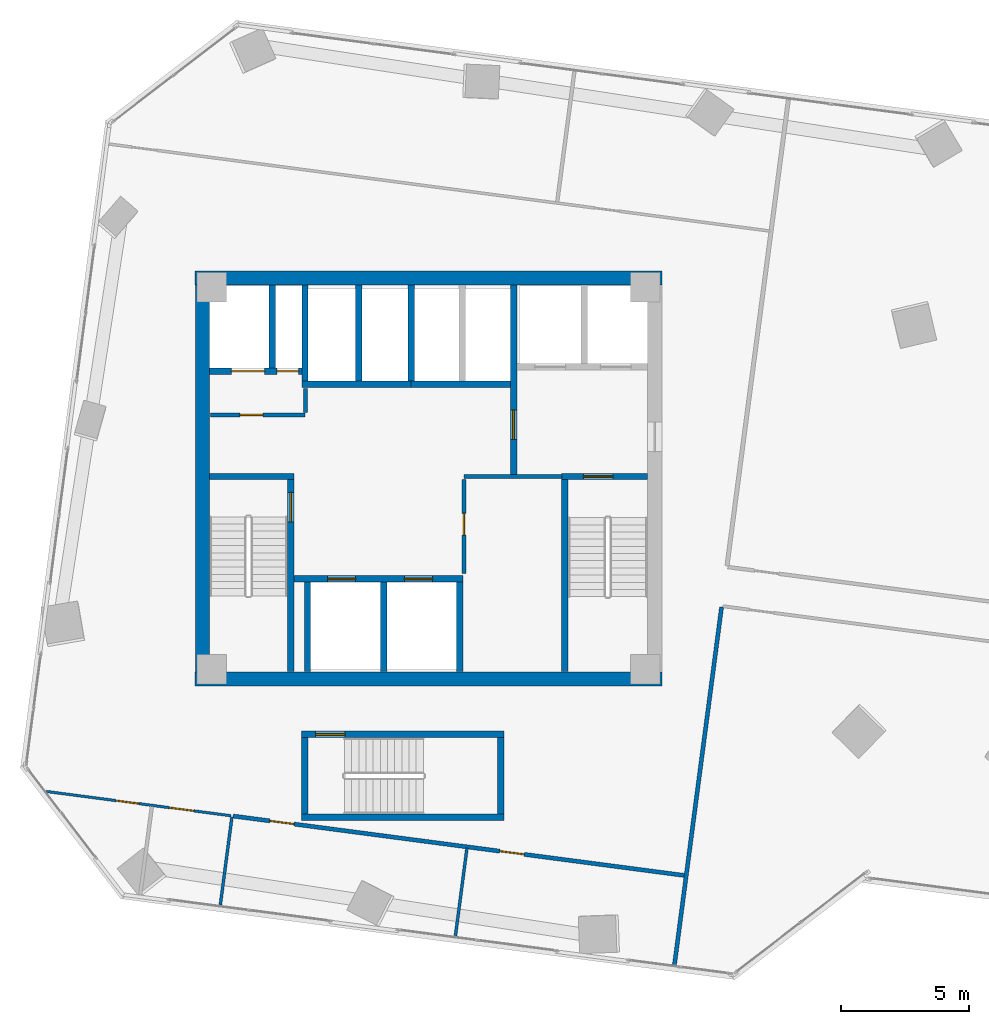
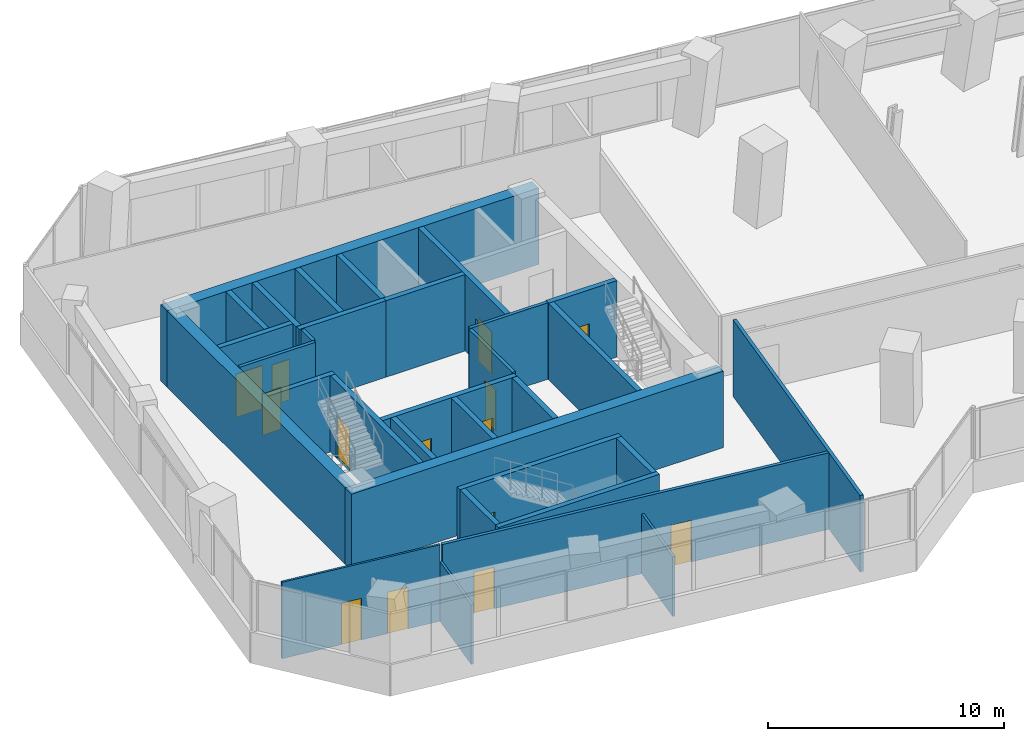
# One storey, part 19 of 24: 32 walls, 14 doors, 14 openings.
"""IFC4 building model written with IfcOpenShell, lengths in metres."""

from ifc_helpers import new_model, si_unit, direction, frame, frame_2d, origin, place, context, subcontext, project, spatial, rectangle, extrude, source, transform, mapped, material, layer, layer_set, type_object, element, fill, save


model = new_model("IFC4")

# Units and contexts
model_context = context("Model", 3, precision=1e-05, world=origin(), true_north=direction((0.0, 1.0)))
body_context = subcontext(model_context, "Body", "Model", "MODEL_VIEW")
ifc_project = project(units=[si_unit("LENGTHUNIT", "METRE"), si_unit("AREAUNIT", "SQUARE_METRE"), si_unit("VOLUMEUNIT", "CUBIC_METRE"), si_unit("PLANEANGLEUNIT", "RADIAN"), si_unit("MASSUNIT", "GRAM", prefix="KILO")], contexts=[model_context])

# Site, building, storey
site_placement = place(None, origin())
site = spatial("IfcSite", under=ifc_project, at=site_placement, CompositionType="ELEMENT")
building_placement = place(site_placement, origin())
building = spatial("IfcBuilding", under=site, at=building_placement, Name="Torre Montelarca", CompositionType="ELEMENT")
storey_placement = place(building_placement, frame((0.0, 0.0, 66.39990234375)))
storey = spatial("IfcBuildingStorey", under=building, at=storey_placement, Name="L14", CompositionType="ELEMENT", Elevation=66.39990234375)

# Wall, opening, door
ifc_material_1 = material(Name="Concrete C40/50", Category="concrete")
ifc_layer_1 = layer(ifc_material_1, 0.25, Name="Concrete C40/50", Category="concrete")
ifc_layer_set_1 = layer_set([ifc_layer_1], Name="Concrete C40/50")
wall_type_1 = type_object("IfcWallType", Name="CW-SHAFT-250", PredefinedType="SHEAR", material=ifc_layer_set_1)
wall_1_placement = place(storey_placement, frame((12.625, 24.4599609375, 0.0), z_axis=(0.0, 0.0, 1.0), x_axis=(0.0, 1.0, 0.0)))
wall_1 = element("IfcWall", 1, at=wall_1_placement, inside=storey, type_object=wall_type_1, Name="L14 Core Shear Wall SH-ST1-E", PredefinedType="SHEAR", context=body_context, shape_type="SweptSolid", body=[
    extrude(rectangle(XDim=7.489990234375, YDim=0.25, at=frame_2d((3.7451171875, 0.0))), origin(), (0.0, 0.0, 1.0), 3.960205078125),
])
opening_1_placement = place(wall_1_placement, frame((5.85009765625, 0.0, 0.0)))
opening_1 = element("IfcOpeningElement", 2, at=opening_1_placement, cuts=wall_1, Name="Opening FD-ST1", PredefinedType="OPENING", context=body_context, shape_type="SweptSolid", body=[
    extrude(rectangle(XDim=1.14990234375, YDim=2.199951171875, at=frame_2d((0.574951171875, 1.10009765625))), frame((0.0, 0.135009765625, 0.0), z_axis=(0.0, -1.0, 0.0), x_axis=(1.0, 0.0, 0.0)), (0.0, 0.0, 1.0), 0.27001953125),
])
ifc_material_2 = material(Name="Galvanized steel fire door", Category="steel")
door_type_1 = type_object("IfcDoorType", Name="DR-STAIR-115", OperationType="NOTDEFINED", PredefinedType="DOOR", material=ifc_material_2)
shared_shape_1 = source(origin(), body_context, "Body", "SweptSolid", [
    extrude(rectangle(XDim=1.14990234375, YDim=2.199951171875, at=frame_2d((0.574951171875, 1.10009765625))), frame((0.0, 0.02490234375, 0.0), z_axis=(0.0, -1.0, 0.0), x_axis=(1.0, 0.0, 0.0)), (0.0, 0.0, 1.0), 0.050048828125),
])
door_1_placement = place(opening_1_placement, origin())
door_1 = element("IfcDoor", 3, at=door_1_placement, inside=storey, type_object=door_type_1, Name="L14 Exit Stair ST1 Fire Door", OperationType="SINGLE_SWING_RIGHT", OverallHeight=2.199951171875, OverallWidth=1.14990234375, PredefinedType="DOOR", context=body_context, shape_type="MappedRepresentation", body=[
    mapped(shared_shape_1, transform((0.0, 0.0, 0.0), scale=1.0)),
])
fill(opening_1, door_1)

# Walls
wall_2_placement = place(storey_placement, frame((9.4599609375, 32.074951171875, 0.0), z_axis=(0.0, 0.0, 1.0), x_axis=(1.0, 0.0, 0.0)))
element("IfcWall", 4, at=wall_2_placement, inside=storey, type_object=wall_type_1, Name="L14 Core Shear Wall SH-ST1-N", PredefinedType="SHEAR", context=body_context, shape_type="SweptSolid", body=[
    extrude(rectangle(XDim=3.2900390625, YDim=0.25, at=frame_2d((1.64501953125, 0.0))), origin(), (0.0, 0.0, 1.0), 3.960205078125),
])
wall_3_placement = place(storey_placement, frame((23.31494140625, 24.4599609375, 0.0), z_axis=(0.0, 0.0, 1.0), x_axis=(0.0, 1.0, 0.0)))
element("IfcWall", 5, at=wall_3_placement, inside=storey, type_object=wall_type_1, Name="L14 Core Shear Wall SH-ST2-W", PredefinedType="SHEAR", context=body_context, shape_type="SweptSolid", body=[
    extrude(rectangle(XDim=7.489990234375, YDim=0.25, at=frame_2d((3.7451171875, 0.0))), origin(), (0.0, 0.0, 1.0), 3.960205078125),
])

# Wall, opening, door
wall_4_placement = place(storey_placement, frame((23.18994140625, 32.074951171875, 0.0), z_axis=(0.0, 0.0, 1.0), x_axis=(1.0, 0.0, 0.0)))
wall_4 = element("IfcWall", 6, at=wall_4_placement, inside=storey, type_object=wall_type_1, Name="L14 Core Shear Wall SH-ST2-N", PredefinedType="SHEAR", context=body_context, shape_type="SweptSolid", body=[
    extrude(rectangle(XDim=3.35009765625, YDim=0.25, at=frame_2d((1.675048828125, 0.0))), origin(), (0.0, 0.0, 1.0), 3.960205078125),
])
opening_2_placement = place(wall_4_placement, frame((0.85009765625, 0.0, 0.0)))
opening_2 = element("IfcOpeningElement", 7, at=opening_2_placement, cuts=wall_4, Name="Opening FD-ST1", PredefinedType="OPENING", context=body_context, shape_type="SweptSolid", body=[
    extrude(rectangle(XDim=1.14990234375, YDim=2.199951171875, at=frame_2d((0.574951171875, 1.10009765625))), frame((0.0, 0.135009765625, 0.0), z_axis=(0.0, -1.0, 0.0), x_axis=(1.0, 0.0, 0.0)), (0.0, 0.0, 1.0), 0.27001953125),
])
door_2_placement = place(opening_2_placement, origin())
door_2 = element("IfcDoor", 8, at=door_2_placement, inside=storey, type_object=door_type_1, Name="L14 Exit Stair ST2 Fire Door", OperationType="SINGLE_SWING_RIGHT", OverallHeight=2.199951171875, OverallWidth=1.14990234375, PredefinedType="DOOR", context=body_context, shape_type="MappedRepresentation", body=[
    mapped(shared_shape_1, transform((0.0, 0.0, 0.0), scale=1.0)),
])
fill(opening_2, door_2)

wall_5_placement = place(storey_placement, frame((21.320068359375, 32.1201171875, 0.0), z_axis=(0.0, 0.0, 1.0), x_axis=(0.0, 1.0, 0.0)))
wall_5 = element("IfcWall", 9, at=wall_5_placement, inside=storey, type_object=wall_type_1, Name="L14 Core Shear Wall SH-FFL-W", PredefinedType="SHEAR", context=body_context, shape_type="SweptSolid", body=[
    extrude(rectangle(XDim=7.419921875, YDim=0.25, at=frame_2d((3.7099609375, 0.0))), origin(), (0.0, 0.0, 1.0), 3.960205078125),
])
opening_3_placement = place(wall_5_placement, frame((1.39990234375, 0.0, 0.0)))
opening_3 = element("IfcOpeningElement", 10, at=opening_3_placement, cuts=wall_5, Name="Opening FD-LB1", PredefinedType="OPENING", context=body_context, shape_type="SweptSolid", body=[
    extrude(rectangle(XDim=1.14990234375, YDim=2.199951171875, at=frame_2d((0.574951171875, 1.10009765625))), frame((0.0, 0.135009765625, 0.0), z_axis=(0.0, -1.0, 0.0), x_axis=(1.0, 0.0, 0.0)), (0.0, 0.0, 1.0), 0.27001953125),
])
ifc_material_3 = material(Name="Acoustic timber-veneered fire door", Category="wood")
door_type_2 = type_object("IfcDoorType", Name="DR-LOBBY-115", OperationType="NOTDEFINED", PredefinedType="DOOR", material=ifc_material_3)
shared_shape_2 = source(origin(), body_context, "Body", "SweptSolid", [
    extrude(rectangle(XDim=1.14990234375, YDim=2.199951171875, at=frame_2d((0.574951171875, 1.10009765625))), frame((0.0, 0.02490234375, 0.0), z_axis=(0.0, -1.0, 0.0), x_axis=(1.0, 0.0, 0.0)), (0.0, 0.0, 1.0), 0.050048828125),
])
door_3_placement = place(opening_3_placement, origin())
door_3 = element("IfcDoor", 11, at=door_3_placement, inside=storey, type_object=door_type_2, Name="L14 Lift Lobby to Firefighting Lobby Smoke Door", OperationType="SINGLE_SWING_LEFT", OverallHeight=2.199951171875, OverallWidth=1.14990234375, PredefinedType="DOOR", context=body_context, shape_type="MappedRepresentation", body=[
    mapped(shared_shape_2, transform((0.0, 0.0, 0.0), scale=1.0)),
])
fill(opening_3, door_3)

# Wall, openings, doors
wall_6_placement = place(storey_placement, frame((9.4599609375, 36.179931640625, 0.0), z_axis=(0.0, 0.0, 1.0), x_axis=(1.0, 0.0, 0.0)))
wall_6 = element("IfcWall", 12, at=wall_6_placement, inside=storey, type_object=wall_type_1, Name="L14 Core Shear Wall SH-SV1-S", PredefinedType="SHEAR", context=body_context, shape_type="SweptSolid", body=[
    extrude(rectangle(XDim=3.7900390625, YDim=0.25, at=frame_2d((1.89501953125, 0.0))), origin(), (0.0, 0.0, 1.0), 3.960205078125),
])
opening_4_placement = place(wall_6_placement, frame((2.6201171875, 0.0, 0.0)))
opening_4 = element("IfcOpeningElement", 13, at=opening_4_placement, cuts=wall_6, Name="Opening FD-085", PredefinedType="OPENING", context=body_context, shape_type="SweptSolid", body=[
    extrude(rectangle(XDim=0.85009765625, YDim=2.10009765625, at=frame_2d((0.425048828125, 1.050048828125))), frame((0.0, 0.135009765625, 0.0), z_axis=(0.0, -1.0, 0.0), x_axis=(1.0, 0.0, 0.0)), (0.0, 0.0, 1.0), 0.27001953125),
])
opening_5_placement = place(wall_6_placement, frame((0.85009765625, 0.0, 0.0)))
opening_5 = element("IfcOpeningElement", 14, at=opening_5_placement, cuts=wall_6, Name="Opening LD-130", PredefinedType="OPENING", context=body_context, shape_type="SweptSolid", body=[
    extrude(rectangle(XDim=1.300048828125, YDim=2.25, at=frame_2d((0.64990234375, 1.125))), frame((0.0, 0.135009765625, 0.0), z_axis=(0.0, -1.0, 0.0), x_axis=(1.0, 0.0, 0.0)), (0.0, 0.0, 1.0), 0.27001953125),
])
ifc_material_4 = material(Name="Steel riser access fire door", Category="steel")
door_type_3 = type_object("IfcDoorType", Name="DR-RISER-085", OperationType="NOTDEFINED", PredefinedType="DOOR", material=ifc_material_4)
shared_shape_3 = source(origin(), body_context, "Body", "SweptSolid", [
    extrude(rectangle(XDim=0.85009765625, YDim=2.10009765625, at=frame_2d((0.425048828125, 1.050048828125))), frame((0.0, 0.02490234375, 0.0), z_axis=(0.0, -1.0, 0.0), x_axis=(1.0, 0.0, 0.0)), (0.0, 0.0, 1.0), 0.050048828125),
])
door_4_placement = place(opening_4_placement, origin())
door_4 = element("IfcDoor", 15, at=door_4_placement, inside=storey, type_object=door_type_3, Name="L14 Electrical Riser Shaft Access Door", OperationType="SINGLE_SWING_RIGHT", OverallHeight=2.10009765625, OverallWidth=0.85009765625, PredefinedType="DOOR", context=body_context, shape_type="MappedRepresentation", body=[
    mapped(shared_shape_3, transform((0.0, 0.0, 0.0), scale=1.0)),
])
fill(opening_4, door_4)
ifc_material_5 = material(Name="Brushed stainless steel AISI 316", Category="steel")
door_type_4 = type_object("IfcDoorType", Name="DR-LIFT-130", OperationType="SLIDING_TO_LEFT", PredefinedType="DOOR", material=ifc_material_5)
shared_shape_4 = source(origin(), body_context, "Body", "SweptSolid", [
    extrude(rectangle(XDim=1.300048828125, YDim=2.25, at=frame_2d((0.64990234375, 1.125))), frame((0.0, 0.02490234375, 0.0), z_axis=(0.0, -1.0, 0.0), x_axis=(1.0, 0.0, 0.0)), (0.0, 0.0, 1.0), 0.050048828125),
])
door_5_placement = place(opening_5_placement, origin())
door_5 = element("IfcDoor", 16, at=door_5_placement, inside=storey, type_object=door_type_4, Name="L14 Lift Landing Sliding Door SV-1", OperationType="SLIDING_TO_LEFT", OverallHeight=2.25, OverallWidth=1.300048828125, PredefinedType="DOOR", context=body_context, shape_type="MappedRepresentation", body=[
    mapped(shared_shape_4, transform((0.0, 0.0, 0.0), scale=1.0)),
])
fill(opening_5, door_5)

# Wall
wall_7_placement = place(storey_placement, frame((11.89990234375, 36.31005859375, 0.0), z_axis=(0.0, 0.0, 1.0), x_axis=(0.0, 1.0, 0.0)))
element("IfcWall", 17, at=wall_7_placement, inside=storey, type_object=wall_type_1, Name="L14 Core Shear Wall SH-SV1-E", PredefinedType="SHEAR", context=body_context, shape_type="SweptSolid", body=[
    extrude(rectangle(XDim=3.22998046875, YDim=0.25, at=frame_2d((1.614990234375, 0.0))), origin(), (0.0, 0.0, 1.0), 3.960205078125),
])

# Wall, openings, doors
wall_8_placement = place(storey_placement, frame((12.6298828125, 28.080078125, 0.0), z_axis=(0.0, 0.0, 1.0), x_axis=(1.0, 0.0, 0.0)))
wall_8 = element("IfcWall", 18, at=wall_8_placement, inside=storey, type_object=wall_type_1, Name="L14 Core Shear Wall SH-PLL-N", PredefinedType="SHEAR", context=body_context, shape_type="SweptSolid", body=[
    extrude(rectangle(XDim=6.710205078125, YDim=0.25, at=frame_2d((3.35498046875, 0.0))), origin(), (0.0, 0.0, 1.0), 3.960205078125),
])
opening_6_placement = place(wall_8_placement, frame((1.429931640625, 0.0, 0.0)))
opening_6 = element("IfcOpeningElement", 19, at=opening_6_placement, cuts=wall_8, Name="Opening LD-110", PredefinedType="OPENING", context=body_context, shape_type="SweptSolid", body=[
    extrude(rectangle(XDim=1.10009765625, YDim=2.199951171875, at=frame_2d((0.550048828125, 1.10009765625))), frame((0.0, 0.135009765625, 0.0), z_axis=(0.0, -1.0, 0.0), x_axis=(1.0, 0.0, 0.0)), (0.0, 0.0, 1.0), 0.27001953125),
])
opening_7_placement = place(wall_8_placement, frame((4.429931640625, 0.0, 0.0)))
opening_7 = element("IfcOpeningElement", 20, at=opening_7_placement, cuts=wall_8, Name="Opening LD-110", PredefinedType="OPENING", context=body_context, shape_type="SweptSolid", body=[
    extrude(rectangle(XDim=1.10009765625, YDim=2.199951171875, at=frame_2d((0.550048828125, 1.10009765625))), frame((0.0, 0.135009765625, 0.0), z_axis=(0.0, -1.0, 0.0), x_axis=(1.0, 0.0, 0.0)), (0.0, 0.0, 1.0), 0.27001953125),
])
door_type_5 = type_object("IfcDoorType", Name="DR-LIFT-110", OperationType="SLIDING_TO_LEFT", PredefinedType="DOOR", material=ifc_material_5)
shared_shape_5 = source(origin(), body_context, "Body", "SweptSolid", [
    extrude(rectangle(XDim=1.10009765625, YDim=2.199951171875, at=frame_2d((0.550048828125, 1.10009765625))), frame((0.0, 0.02490234375, 0.0), z_axis=(0.0, -1.0, 0.0), x_axis=(1.0, 0.0, 0.0)), (0.0, 0.0, 1.0), 0.050048828125),
])
door_6_placement = place(opening_6_placement, origin())
door_6 = element("IfcDoor", 21, at=door_6_placement, inside=storey, type_object=door_type_5, Name="L14 Lift Landing Sliding Door PL-L1", OperationType="SLIDING_TO_LEFT", OverallHeight=2.199951171875, OverallWidth=1.10009765625, PredefinedType="DOOR", context=body_context, shape_type="MappedRepresentation", body=[
    mapped(shared_shape_5, transform((0.0, 0.0, 0.0), scale=1.0)),
])
fill(opening_6, door_6)
door_7_placement = place(opening_7_placement, origin())
door_7 = element("IfcDoor", 22, at=door_7_placement, inside=storey, type_object=door_type_5, Name="L14 Lift Landing Sliding Door PL-L2", OperationType="SLIDING_TO_RIGHT", OverallHeight=2.199951171875, OverallWidth=1.10009765625, PredefinedType="DOOR", context=body_context, shape_type="MappedRepresentation", body=[
    mapped(shared_shape_5, transform((0.0, 0.0, 0.0), scale=1.0)),
])
fill(opening_7, door_7)

# Walls
for number, where, z_axis, x_axis, name in (
    (23, (13.280029296875, 24.4599609375, 0.0), (0.0, 0.0, 1.0), (0.0, 1.0, 0.0), "L14 Core Shear Wall SH-PLL-W"),
    (24, (16.25, 24.4599609375, 0.0), (0.0, 0.0, 1.0), (0.0, 1.0, 0.0), "L14 Core Shear Wall SH-PLL-M"),
    (25, (19.219970703125, 24.4599609375, 0.0), (0.0, 0.0, 1.0), (0.0, 1.0, 0.0), "L14 Core Shear Wall SH-PLL-E"),
):
    element("IfcWall", number, at=place(storey_placement, frame(where, z_axis=z_axis, x_axis=x_axis)), inside=storey, type_object=wall_type_1, Name=name, PredefinedType="SHEAR", context=body_context, shape_type="SweptSolid", body=[
        extrude(rectangle(XDim=3.489990234375, YDim=0.25, at=frame_2d((1.7451171875, 0.0))), origin(), (0.0, 0.0, 1.0), 3.960205078125),
    ])
wall_9_placement = place(storey_placement, frame((13.06005859375, 35.679931640625, 0.0), z_axis=(0.0, 0.0, 1.0), x_axis=(1.0, 0.0, 0.0)))
element("IfcWall", 26, at=wall_9_placement, inside=storey, type_object=wall_type_1, Name="L14 Core Shear Wall SH-PLM-S", PredefinedType="SHEAR", context=body_context, shape_type="SweptSolid", body=[
    extrude(rectangle(XDim=4.25, YDim=0.25, at=frame_2d((2.125, 0.0))), origin(), (0.0, 0.0, 1.0), 3.960205078125),
])
for number, where, z_axis, x_axis, name in (
    (27, (13.179931640625, 35.81005859375, 0.0), (0.0, 0.0, 1.0), (0.0, 1.0, 0.0), "L14 Core Shear Wall SH-PLM-W"),
    (28, (15.280029296875, 35.81005859375, 0.0), (0.0, 0.0, 1.0), (0.0, 1.0, 0.0), "L14 Core Shear Wall SH-PLM-M"),
):
    element("IfcWall", number, at=place(storey_placement, frame(where, z_axis=z_axis, x_axis=x_axis)), inside=storey, type_object=wall_type_1, Name=name, PredefinedType="SHEAR", context=body_context, shape_type="SweptSolid", body=[
        extrude(rectangle(XDim=3.72998046875, YDim=0.25, at=frame_2d((1.864990234375, 0.0))), origin(), (0.0, 0.0, 1.0), 3.960205078125),
    ])
wall_10_placement = place(storey_placement, frame((17.320068359375, 35.679931640625, 0.0), z_axis=(0.0, 0.0, 1.0), x_axis=(1.0, 0.0, 0.0)))
element("IfcWall", 29, at=wall_10_placement, inside=storey, type_object=wall_type_1, Name="L14 Core Shear Wall SH-PLH-S", PredefinedType="SHEAR", context=body_context, shape_type="SweptSolid", body=[
    extrude(rectangle(XDim=3.869873046875, YDim=0.25, at=frame_2d((1.93505859375, 0.0))), origin(), (0.0, 0.0, 1.0), 3.960205078125),
])
wall_11_placement = place(storey_placement, frame((17.320068359375, 35.81005859375, 0.0), z_axis=(0.0, 0.0, 1.0), x_axis=(0.0, 1.0, 0.0)))
element("IfcWall", 30, at=wall_11_placement, inside=storey, type_object=wall_type_1, Name="L14 Core Shear Wall SH-PLH-W", PredefinedType="SHEAR", context=body_context, shape_type="SweptSolid", body=[
    extrude(rectangle(XDim=3.72998046875, YDim=0.25, at=frame_2d((1.864990234375, 0.0))), origin(), (0.0, 0.0, 1.0), 3.960205078125),
])
for number, where, z_axis, x_axis, name in (
    (31, (13.175048828125, 18.89990234375, 0.0), (0.0, 0.0, 1.0), (0.0, 1.0, 0.0), "L14 Core Shear Wall SH-ST3-W"),
    (32, (20.824951171875, 18.89990234375, 0.0), (0.0, 0.0, 1.0), (0.0, 1.0, 0.0), "L14 Core Shear Wall SH-ST3-E"),
):
    element("IfcWall", number, at=place(storey_placement, frame(where, z_axis=z_axis, x_axis=x_axis)), inside=storey, type_object=wall_type_1, Name=name, PredefinedType="SHEAR", context=body_context, shape_type="SweptSolid", body=[
        extrude(rectangle(XDim=2.989990234375, YDim=0.25, at=frame_2d((1.4951171875, 0.0))), origin(), (0.0, 0.0, 1.0), 3.960205078125),
    ])
wall_12_placement = place(storey_placement, frame((13.050048828125, 18.77490234375, 0.0), z_axis=(0.0, 0.0, 1.0), x_axis=(1.0, 0.0, 0.0)))
element("IfcWall", 33, at=wall_12_placement, inside=storey, type_object=wall_type_1, Name="L14 Core Shear Wall SH-ST3-S", PredefinedType="SHEAR", context=body_context, shape_type="SweptSolid", body=[
    extrude(rectangle(XDim=7.89990234375, YDim=0.25, at=frame_2d((3.949951171875, 0.0))), origin(), (0.0, 0.0, 1.0), 3.960205078125),
])

# Wall, opening, door
wall_13_placement = place(storey_placement, frame((13.050048828125, 22.014892578125, 0.0), z_axis=(0.0, 0.0, 1.0), x_axis=(1.0, 0.0, 0.0)))
wall_13 = element("IfcWall", 34, at=wall_13_placement, inside=storey, type_object=wall_type_1, Name="L14 Core Shear Wall SH-ST3-N", PredefinedType="SHEAR", context=body_context, shape_type="SweptSolid", body=[
    extrude(rectangle(XDim=7.89990234375, YDim=0.25, at=frame_2d((3.949951171875, 0.0))), origin(), (0.0, 0.0, 1.0), 3.960205078125),
])
opening_8_placement = place(wall_13_placement, frame((0.550048828125, 0.0, 0.0)))
opening_8 = element("IfcOpeningElement", 35, at=opening_8_placement, cuts=wall_13, Name="Opening FD-ST1", PredefinedType="OPENING", context=body_context, shape_type="SweptSolid", body=[
    extrude(rectangle(XDim=1.14990234375, YDim=2.199951171875, at=frame_2d((0.574951171875, 1.10009765625))), frame((0.0, 0.135009765625, 0.0), z_axis=(0.0, -1.0, 0.0), x_axis=(1.0, 0.0, 0.0)), (0.0, 0.0, 1.0), 0.27001953125),
])
door_8_placement = place(opening_8_placement, origin())
door_8 = element("IfcDoor", 36, at=door_8_placement, inside=storey, type_object=door_type_1, Name="L14 Exit Stair ST3 Fire Door", OperationType="SINGLE_SWING_LEFT", OverallHeight=2.199951171875, OverallWidth=1.14990234375, PredefinedType="DOOR", context=body_context, shape_type="MappedRepresentation", body=[
    mapped(shared_shape_1, transform((0.0, 0.0, 0.0), scale=1.0)),
])
fill(opening_8, door_8)

# Walls
ifc_material_6 = material(Name="Concrete C70/85", Category="concrete")
ifc_layer_2 = layer(ifc_material_6, 0.550048828125, Name="Concrete C70/85", Category="concrete")
ifc_layer_set_2 = layer_set([ifc_layer_2], Name="Concrete C70/85")
wall_type_2 = type_object("IfcWallType", Name="CW-SHEAR-550", PredefinedType="SHEAR", material=ifc_layer_set_2)
wall_14_placement = place(storey_placement, frame((9.175048828125, 24.449951171875, 0.0), z_axis=(0.0, 0.0, 1.0), x_axis=(0.0, 1.0, 0.0)))
element("IfcWall", 37, at=wall_14_placement, inside=storey, type_object=wall_type_2, Name="L14 Core Shear Wall CW-W", PredefinedType="SHEAR", context=body_context, shape_type="SweptSolid", body=[
    extrude(rectangle(XDim=15.10009765625, YDim=0.550048828125, at=frame_2d((7.550048828125, 0.0))), origin(), (0.0, 0.0, 1.0), 3.960205078125),
])
for number, where, z_axis, x_axis, name in (
    (38, (8.89990234375, 24.175048828125, 0.0), (0.0, 0.0, 1.0), (1.0, 0.0, 0.0), "L14 Core Shear Wall CW-S1"),
    (39, (8.89990234375, 39.824951171875, 0.0), (0.0, 0.0, 1.0), (1.0, 0.0, 0.0), "L14 Core Shear Wall CW-N1"),
):
    element("IfcWall", number, at=place(storey_placement, frame(where, z_axis=z_axis, x_axis=x_axis)), inside=storey, type_object=wall_type_2, Name=name, PredefinedType="SHEAR", context=body_context, shape_type="SweptSolid", body=[
        extrude(rectangle(XDim=18.2001953125, YDim=0.550048828125, at=frame_2d((9.10009765625, 0.0))), origin(), (0.0, 0.0, 1.0), 3.960205078125),
    ])

# Wall, opening, door
ifc_material_7 = material(Name="Gypsum plasterboard on steel stud", Category="steel")
ifc_layer_3 = layer(ifc_material_7, 0.159912109375, Name="Gypsum plasterboard on steel stud", Category="steel")
ifc_layer_set_3 = layer_set([ifc_layer_3], Name="Gypsum plasterboard on steel stud")
wall_type_3 = type_object("IfcWallType", Name="PW-FIRE-160", PredefinedType="PARTITIONING", material=ifc_layer_set_3)
wall_15_placement = place(storey_placement, frame((9.489990234375, 34.47998046875, 0.0), z_axis=(0.0, 0.0, 1.0), x_axis=(1.0, 0.0, 0.0)))
wall_15 = element("IfcWall", 40, at=wall_15_placement, inside=storey, type_object=wall_type_3, Name="L14 Interior Partition CW-L14-SVS", PredefinedType="PARTITIONING", context=body_context, shape_type="SweptSolid", body=[
    extrude(rectangle(XDim=3.699951171875, YDim=0.159912109375, at=frame_2d((1.85009765625, 0.0))), origin(), (0.0, 0.0, 1.0), 3.960205078125),
])
opening_9_placement = place(wall_15_placement, frame((1.14990234375, 0.0, 0.0)))
opening_9 = element("IfcOpeningElement", 41, at=opening_9_placement, cuts=wall_15, Name="Opening FD-090", PredefinedType="OPENING", context=body_context, shape_type="SweptSolid", body=[
    extrude(rectangle(XDim=0.89990234375, YDim=2.14990234375, at=frame_2d((0.449951171875, 1.074951171875))), frame((0.0, 0.08984375, 0.0), z_axis=(0.0, -1.0, 0.0), x_axis=(1.0, 0.0, 0.0)), (0.0, 0.0, 1.0), 0.179931640625),
])
ifc_material_8 = material(Name="Steel service fire door", Category="steel")
door_type_6 = type_object("IfcDoorType", Name="DR-FIRE-090", OperationType="NOTDEFINED", PredefinedType="DOOR", material=ifc_material_8)
shared_shape_6 = source(origin(), body_context, "Body", "SweptSolid", [
    extrude(rectangle(XDim=0.89990234375, YDim=2.14990234375, at=frame_2d((0.449951171875, 1.074951171875))), frame((0.0, 0.02490234375, 0.0), z_axis=(0.0, -1.0, 0.0), x_axis=(1.0, 0.0, 0.0)), (0.0, 0.0, 1.0), 0.050048828125),
])
door_9_placement = place(opening_9_placement, origin())
door_9 = element("IfcDoor", 42, at=door_9_placement, inside=storey, type_object=door_type_6, Name="L14 Interior Door 01", OperationType="SINGLE_SWING_RIGHT", OverallHeight=2.14990234375, OverallWidth=0.89990234375, PredefinedType="DOOR", context=body_context, shape_type="MappedRepresentation", body=[
    mapped(shared_shape_6, transform((0.0, 0.0, 0.0), scale=1.0)),
])
fill(opening_9, door_9)

# Walls
wall_16_placement = place(storey_placement, frame((13.199951171875, 34.570068359375, 0.0), z_axis=(0.0, 0.0, 1.0), x_axis=(0.0, 1.0, 0.0)))
element("IfcWall", 43, at=wall_16_placement, inside=storey, type_object=wall_type_3, Name="L14 Interior Partition CW-L14-SVE", PredefinedType="PARTITIONING", context=body_context, shape_type="SweptSolid", body=[
    extrude(rectangle(XDim=0.93994140625, YDim=0.159912109375, at=frame_2d((0.469970703125, 0.0))), origin(), (0.0, 0.0, 1.0), 3.960205078125),
])
wall_17_placement = place(storey_placement, frame((19.389892578125, 32.080078125, 0.0), z_axis=(0.0, 0.0, 1.0), x_axis=(1.0, 0.0, 0.0)))
element("IfcWall", 44, at=wall_17_placement, inside=storey, type_object=wall_type_3, Name="L14 Interior Partition CW-L14-SEN", PredefinedType="PARTITIONING", context=body_context, shape_type="SweptSolid", body=[
    extrude(rectangle(XDim=3.820068359375, YDim=0.159912109375, at=frame_2d((1.91015625, 0.0))), origin(), (0.0, 0.0, 1.0), 3.960205078125),
])

# Wall, opening, door
wall_18_placement = place(storey_placement, frame((19.3798828125, 28.2900390625, 0.0), z_axis=(0.0, 0.0, 1.0), x_axis=(0.0, 1.0, 0.0)))
wall_18 = element("IfcWall", 45, at=wall_18_placement, inside=storey, type_object=wall_type_3, Name="L14 Interior Partition CW-L14-SEW", PredefinedType="PARTITIONING", context=body_context, shape_type="SweptSolid", body=[
    extrude(rectangle(XDim=3.669921875, YDim=0.159912109375, at=frame_2d((1.8349609375, 0.0))), origin(), (0.0, 0.0, 1.0), 3.960205078125),
])
opening_10_placement = place(wall_18_placement, frame((1.5, 0.0, 0.0)))
opening_10 = element("IfcOpeningElement", 46, at=opening_10_placement, cuts=wall_18, Name="Opening FD-085", PredefinedType="OPENING", context=body_context, shape_type="SweptSolid", body=[
    extrude(rectangle(XDim=0.85009765625, YDim=2.10009765625, at=frame_2d((0.425048828125, 1.050048828125))), frame((0.0, 0.08984375, 0.0), z_axis=(0.0, -1.0, 0.0), x_axis=(1.0, 0.0, 0.0)), (0.0, 0.0, 1.0), 0.179931640625),
])
door_10_placement = place(opening_10_placement, origin())
door_10 = element("IfcDoor", 47, at=door_10_placement, inside=storey, type_object=door_type_3, Name="L14 Interior Door 02", OperationType="SINGLE_SWING_RIGHT", OverallHeight=2.10009765625, OverallWidth=0.85009765625, PredefinedType="DOOR", context=body_context, shape_type="MappedRepresentation", body=[
    mapped(shared_shape_3, transform((0.0, 0.0, 0.0), scale=1.0)),
])
fill(opening_10, door_10)

# Wall, openings, doors
wall_19_placement = place(storey_placement, frame((10.375732421875, 18.829345703125, 0.0), z_axis=(0.0, 0.0, 1.0), x_axis=(0.99144504436, -0.130524802294, 0.0)))
wall_19 = element("IfcWall", 48, at=wall_19_placement, inside=storey, type_object=wall_type_3, Name="L14 Interior Partition W-L14-SOCCN", PredefinedType="PARTITIONING", context=body_context, shape_type="SweptSolid", body=[
    extrude(rectangle(XDim=17.789794921875, YDim=0.159912109375, at=frame_2d((8.89501953125, 0.0))), origin(), (0.0, 0.0, 1.0), 3.960205078125),
])
opening_11_placement = place(wall_19_placement, frame((1.449951171875, 0.0, 0.0)))
opening_11 = element("IfcOpeningElement", 49, at=opening_11_placement, cuts=wall_19, Name="Opening FD-095", PredefinedType="OPENING", context=body_context, shape_type="SweptSolid", body=[
    extrude(rectangle(XDim=0.949951171875, YDim=2.14990234375, at=frame_2d((0.47509765625, 1.074951171875))), frame((0.0, 0.08984375, 0.0), z_axis=(0.0, -1.0, 0.0), x_axis=(1.0, 0.0, 0.0)), (0.0, 0.0, 1.0), 0.179931640625),
])
opening_12_placement = place(wall_19_placement, frame((10.5, 0.0, 0.0)))
opening_12 = element("IfcOpeningElement", 50, at=opening_12_placement, cuts=wall_19, Name="Opening FD-095", PredefinedType="OPENING", context=body_context, shape_type="SweptSolid", body=[
    extrude(rectangle(XDim=0.949951171875, YDim=2.14990234375, at=frame_2d((0.47509765625, 1.074951171875))), frame((0.0, 0.08984375, 0.0), z_axis=(0.0, -1.0, 0.0), x_axis=(1.0, 0.0, 0.0)), (0.0, 0.0, 1.0), 0.179931640625),
])
ifc_material_9 = material(Name="Timber fire-rated room door", Category="wood")
door_type_7 = type_object("IfcDoorType", Name="DR-FIRE-095", OperationType="NOTDEFINED", PredefinedType="DOOR", material=ifc_material_9)
shared_shape_7 = source(origin(), body_context, "Body", "SweptSolid", [
    extrude(rectangle(XDim=0.949951171875, YDim=2.14990234375, at=frame_2d((0.47509765625, 1.074951171875))), frame((0.0, 0.02490234375, 0.0), z_axis=(0.0, -1.0, 0.0), x_axis=(1.0, 0.0, 0.0)), (0.0, 0.0, 1.0), 0.050048828125),
])
door_11_placement = place(opening_11_placement, origin())
door_11 = element("IfcDoor", 51, at=door_11_placement, inside=storey, type_object=door_type_7, Name="L14 Interior Door 05", OperationType="SINGLE_SWING_RIGHT", OverallHeight=2.14990234375, OverallWidth=0.949951171875, PredefinedType="DOOR", context=body_context, shape_type="MappedRepresentation", body=[
    mapped(shared_shape_7, transform((0.0, 0.0, 0.0), scale=1.0)),
])
fill(opening_11, door_11)
door_12_placement = place(opening_12_placement, origin())
door_12 = element("IfcDoor", 52, at=door_12_placement, inside=storey, type_object=door_type_7, Name="L14 Interior Door 06", OperationType="SINGLE_SWING_LEFT", OverallHeight=2.14990234375, OverallWidth=0.949951171875, PredefinedType="DOOR", context=body_context, shape_type="MappedRepresentation", body=[
    mapped(shared_shape_7, transform((0.0, 0.0, 0.0), scale=1.0)),
])
fill(opening_12, door_12)

# Wall
wall_20_placement = place(storey_placement, frame((27.594970703125, 13.022216796875, 0.0), z_axis=(0.0, 0.0, 1.0), x_axis=(0.130532558102, 0.991444023269, 0.0)))
element("IfcWall", 53, at=wall_20_placement, inside=storey, type_object=wall_type_3, Name="L14 Interior Partition W-L14-ECS", PredefinedType="PARTITIONING", context=body_context, shape_type="SweptSolid", body=[
    extrude(rectangle(XDim=14.079833984375, YDim=0.159912109375, at=frame_2d((7.0400390625, 0.0))), origin(), (0.0, 0.0, 1.0), 3.960205078125),
])

# Wall, openings, doors
ifc_material_10 = material(Name="Acoustic laminated glass partition", Category="glass")
ifc_layer_4 = layer(ifc_material_10, 0.10009765625, Name="Acoustic laminated glass partition", Category="glass")
ifc_layer_set_4 = layer_set([ifc_layer_4], Name="Acoustic laminated glass partition")
wall_type_4 = type_object("IfcWallType", Name="PW-GLAZ-100", PredefinedType="PARTITIONING", material=ifc_layer_set_4)
wall_21_placement = place(storey_placement, frame((3.0966796875, 19.78759765625, 0.0), z_axis=(0.0, 0.0, 1.0), x_axis=(0.99144674145, -0.130511910828, 0.0)))
wall_21 = element("IfcWall", 54, at=wall_21_placement, inside=storey, type_object=wall_type_4, Name="L14 Interior Partition W-L14-WCN", PredefinedType="PARTITIONING", context=body_context, shape_type="SweptSolid", body=[
    extrude(rectangle(XDim=7.26171875, YDim=0.10009765625, at=frame_2d((3.630859375, 0.0))), origin(), (0.0, 0.0, 1.0), 3.960205078125),
])
opening_13_placement = place(wall_21_placement, frame((2.739990234375, 0.0, 0.0)))
opening_13 = element("IfcOpeningElement", 55, at=opening_13_placement, cuts=wall_21, Name="Opening ID-090", PredefinedType="OPENING", context=body_context, shape_type="SweptSolid", body=[
    extrude(rectangle(XDim=0.89990234375, YDim=2.14990234375, at=frame_2d((0.449951171875, 1.074951171875))), frame((0.0, 0.06005859375, 0.0), z_axis=(0.0, -1.0, 0.0), x_axis=(1.0, 0.0, 0.0)), (0.0, 0.0, 1.0), 0.1201171875),
])
opening_14_placement = place(wall_21_placement, frame((4.840087890625, 0.0, 0.0)))
opening_14 = element("IfcOpeningElement", 56, at=opening_14_placement, cuts=wall_21, Name="Opening ID-095", PredefinedType="OPENING", context=body_context, shape_type="SweptSolid", body=[
    extrude(rectangle(XDim=0.949951171875, YDim=2.14990234375, at=frame_2d((0.47509765625, 1.074951171875))), frame((0.0, 0.06005859375, 0.0), z_axis=(0.0, -1.0, 0.0), x_axis=(1.0, 0.0, 0.0)), (0.0, 0.0, 1.0), 0.1201171875),
])
ifc_material_11 = material(Name="Hardwood acoustic timber veneer", Category="wood")
door_type_8 = type_object("IfcDoorType", Name="DR-INT-090", OperationType="NOTDEFINED", PredefinedType="DOOR", material=ifc_material_11)
shared_shape_8 = source(origin(), body_context, "Body", "SweptSolid", [
    extrude(rectangle(XDim=0.89990234375, YDim=2.14990234375, at=frame_2d((0.449951171875, 1.074951171875))), frame((0.0, 0.02490234375, 0.0), z_axis=(0.0, -1.0, 0.0), x_axis=(1.0, 0.0, 0.0)), (0.0, 0.0, 1.0), 0.050048828125),
])
door_13_placement = place(opening_13_placement, origin())
door_13 = element("IfcDoor", 57, at=door_13_placement, inside=storey, type_object=door_type_8, Name="L14 Interior Door 03", OperationType="SINGLE_SWING_LEFT", OverallHeight=2.14990234375, OverallWidth=0.89990234375, PredefinedType="DOOR", context=body_context, shape_type="MappedRepresentation", body=[
    mapped(shared_shape_8, transform((0.0, 0.0, 0.0), scale=1.0)),
])
fill(opening_13, door_13)
door_type_9 = type_object("IfcDoorType", Name="DR-INT-095", OperationType="NOTDEFINED", PredefinedType="DOOR", material=ifc_material_11)
shared_shape_9 = source(origin(), body_context, "Body", "SweptSolid", [
    extrude(rectangle(XDim=0.949951171875, YDim=2.14990234375, at=frame_2d((0.47509765625, 1.074951171875))), frame((0.0, 0.02490234375, 0.0), z_axis=(0.0, -1.0, 0.0), x_axis=(1.0, 0.0, 0.0)), (0.0, 0.0, 1.0), 0.050048828125),
])
door_14_placement = place(opening_14_placement, origin())
door_14 = element("IfcDoor", 58, at=door_14_placement, inside=storey, type_object=door_type_9, Name="L14 Interior Door 04", OperationType="SINGLE_SWING_RIGHT", OverallHeight=2.14990234375, OverallWidth=0.949951171875, PredefinedType="DOOR", context=body_context, shape_type="MappedRepresentation", body=[
    mapped(shared_shape_9, transform((0.0, 0.0, 0.0), scale=1.0)),
])
fill(opening_14, door_14)

# Walls
ifc_layer_5 = layer(ifc_material_7, 0.114990234375, Name="Gypsum plasterboard on steel stud", Category="steel")
ifc_layer_set_5 = layer_set([ifc_layer_5], Name="Gypsum plasterboard on steel stud")
wall_type_5 = type_object("IfcWallType", Name="PW-PART-115", PredefinedType="PARTITIONING", material=ifc_layer_set_5)
wall_22_placement = place(storey_placement, frame((9.8779296875, 15.3544921875, 0.0), z_axis=(0.0, 0.0, 1.0), x_axis=(0.130509110781, 0.991447110038, 0.0)))
element("IfcWall", 59, at=wall_22_placement, inside=storey, type_object=wall_type_5, Name="L14 Interior Partition W-L14-SWCDIV", PredefinedType="PARTITIONING", context=body_context, shape_type="SweptSolid", body=[
    extrude(rectangle(XDim=3.47021484375, YDim=0.114990234375, at=frame_2d((1.735107421875, 0.0))), origin(), (0.0, 0.0, 1.0), 3.09521484375),
])
wall_23_placement = place(storey_placement, frame((19.048828125, 14.147216796875, 0.0), z_axis=(0.0, 0.0, 1.0), x_axis=(0.130518214887, 0.991445911577, 0.0)))
element("IfcWall", 60, at=wall_23_placement, inside=storey, type_object=wall_type_5, Name="L14 Interior Partition W-L14-SWDIV", PredefinedType="PARTITIONING", context=body_context, shape_type="SweptSolid", body=[
    extrude(rectangle(XDim=3.469970703125, YDim=0.114990234375, at=frame_2d((1.73486328125, 0.0))), origin(), (0.0, 0.0, 1.0), 3.09521484375),
])

save(model, "model.ifc")
